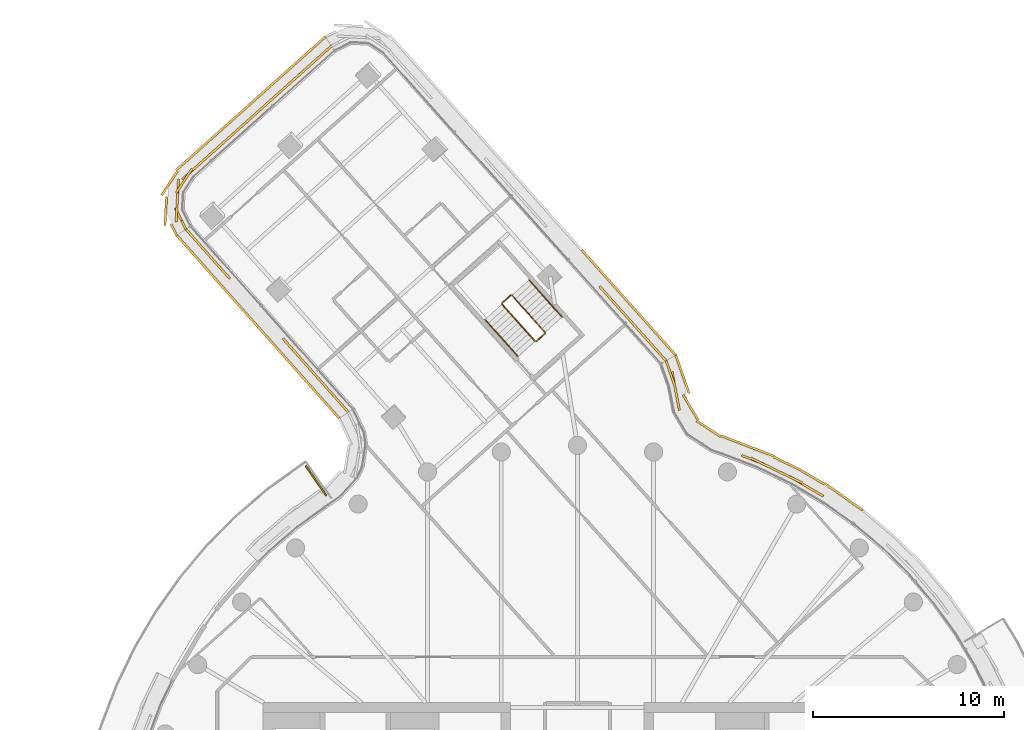
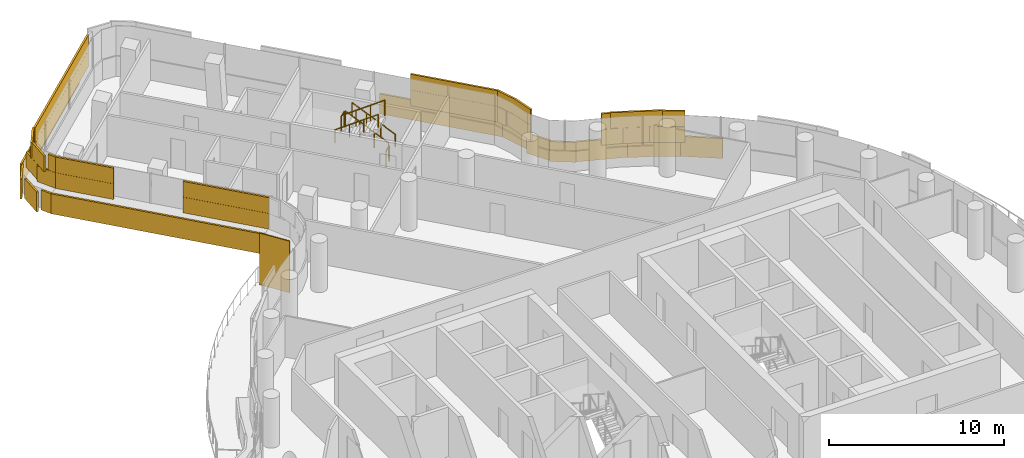
# One storey, part 31 of 33: 6 railings, 4 coverings, 1 shading device.
"""IFC4 building model written with IfcOpenShell, lengths in metres."""

from ifc_helpers import new_model, si_unit, direction, frame, origin, origin_2d, place, context, subcontext, project, spatial, rectangle, circle, extrude, material, layer, layer_set, type_object, element, save


model = new_model("IFC4")

# Units and contexts
model_context = context("Model", 3, precision=1e-05, world=origin(), true_north=direction((0.0, 1.0)))
body_context = subcontext(model_context, "Body", "Model", "MODEL_VIEW")
ifc_project = project(units=[si_unit("LENGTHUNIT", "METRE"), si_unit("AREAUNIT", "SQUARE_METRE"), si_unit("VOLUMEUNIT", "CUBIC_METRE"), si_unit("PLANEANGLEUNIT", "RADIAN"), si_unit("MASSUNIT", "GRAM", prefix="KILO")], contexts=[model_context])

# Site, building, storey
site_placement = place(None, origin())
site = spatial("IfcSite", under=ifc_project, at=site_placement, CompositionType="ELEMENT")
building_placement = place(site_placement, origin())
building = spatial("IfcBuilding", under=site, at=building_placement, Name="Tamarind Cross Interchange Tower", CompositionType="ELEMENT")
storey_placement = place(building_placement, frame((0.0, 0.0, 186.10009765625)))
storey = spatial("IfcBuildingStorey", under=building, at=storey_placement, Name="L46", CompositionType="ELEMENT", Elevation=186.10009765625)

# Shading device
ifc_material_1 = material(Name="Bronze-finish aluminium louvre", Category="aluminium")
ifc_layer_1 = layer(ifc_material_1, 0.080078125)
ifc_layer_set_1 = layer_set([ifc_layer_1], Name="Bronze-finish aluminium louvre")
shading_device_type = type_object("IfcShadingDeviceType", Name="Operable louvre bay", PredefinedType="JALOUSIE", material=ifc_layer_set_1)
shading_device_placement = place(storey_placement, origin())
element("IfcShadingDevice", 1, at=shading_device_placement, inside=storey, type_object=shading_device_type, Name="LVR-L46-BAL10", PredefinedType="JALOUSIE", context=body_context, shape_type="SweptSolid", body=[
    extrude(rectangle(XDim=1.89990234375, YDim=0.080078125, at=origin_2d()), frame((-13.712646484375, 21.144287109375, -0.000244140625), z_axis=(0.0, 0.0, 1.0), x_axis=(-0.56999632408, 0.821647242152, 0.0)), (0.0, 0.0, 1.0), 3.60009765625),
])

# Railings
ifc_material_2 = material(Name="Stair guard")
railing_type_1 = type_object("IfcRailingType", Name="Stair guard", PredefinedType="GUARDRAIL", material=ifc_material_2)
railing_1_placement = place(storey_placement, frame((-1.700927734375, 28.9296875, 0.16357421875)))
element("IfcRailing", 2, at=railing_1_placement, inside=storey, type_object=railing_type_1, Name="L46 ST4 stair guard 1", PredefinedType="GUARDRAIL", context=body_context, shape_type="SweptSolid", body=[
    extrude(circle(Radius=0.02392578125, at=origin_2d()), frame((0.0, 0.0, 1.076171875), z_axis=(-0.564022200762, 0.63101821531, 0.532630236651), x_axis=(-0.745577674844, -0.666418735311, 0.0)), (0.0, 0.0, 1.0), 3.072021484375),
    extrude(circle(Radius=0.02099609375, at=origin_2d()), origin(), (0.0, 0.0, 1.0), 1.052001953125),
    extrude(circle(Radius=0.02099609375, at=origin_2d()), frame((-0.57763671875, 0.646240234375, 0.54541015625)), (0.0, 0.0, 1.0), 1.052001953125),
    extrude(circle(Radius=0.02099609375, at=origin_2d()), frame((-1.155029296875, 1.292236328125, 1.0908203125)), (0.0, 0.0, 1.0), 1.052001953125),
    extrude(circle(Radius=0.02099609375, at=origin_2d()), frame((-1.732666015625, 1.9384765625, 1.63623046875)), (0.0, 0.0, 1.0), 1.052001953125),
])
railing_2_placement = place(storey_placement, frame((-3.504150390625, 30.8720703125, 1.7998046875)))
element("IfcRailing", 3, at=railing_2_placement, inside=storey, type_object=railing_type_1, Name="L46 ST4 stair guard 2", PredefinedType="GUARDRAIL", context=body_context, shape_type="SweptSolid", body=[
    extrude(circle(Radius=0.02392578125, at=origin_2d()), frame((0.0, 0.0, 1.076171875), z_axis=(-0.74547540245, -0.666533138217, 0.0), x_axis=(0.666533138217, -0.74547540245, 0.0)), (0.0, 0.0, 1.0), 0.599853515625),
    extrude(circle(Radius=0.02099609375, at=origin_2d()), origin(), (0.0, 0.0, 1.0), 1.052001953125),
    extrude(circle(Radius=0.02099609375, at=origin_2d()), frame((-0.447265625, -0.39990234375, 0.0)), (0.0, 0.0, 1.0), 1.052001953125),
])
railing_3_placement = place(storey_placement, frame((-3.95556640625, 30.401611328125, 1.963623046875)))
element("IfcRailing", 4, at=railing_3_placement, inside=storey, type_object=railing_type_1, Name="L46 ST4 stair guard 3", PredefinedType="GUARDRAIL", context=body_context, shape_type="SweptSolid", body=[
    extrude(circle(Radius=0.02392578125, at=origin_2d()), frame((0.0, 0.0, 1.076171875), z_axis=(0.564076388308, -0.630989930004, 0.532606361572), x_axis=(0.745531019402, 0.666470928931, 0.0)), (0.0, 0.0, 1.0), 3.072021484375),
    extrude(circle(Radius=0.02099609375, at=origin_2d()), origin(), (0.0, 0.0, 1.0), 1.052001953125),
    extrude(circle(Radius=0.02099609375, at=origin_2d()), frame((0.57763671875, -0.646240234375, 0.54541015625)), (0.0, 0.0, 1.0), 1.052001953125),
    extrude(circle(Radius=0.02099609375, at=origin_2d()), frame((1.1552734375, -1.292236328125, 1.0908203125)), (0.0, 0.0, 1.0), 1.052001953125),
    extrude(circle(Radius=0.02099609375, at=origin_2d()), frame((1.73291015625, -1.9384765625, 1.63623046875)), (0.0, 0.0, 1.0), 1.052001953125),
])
railing_4_placement = place(storey_placement, frame((-1.704833984375, 28.859130859375, 0.0)))
element("IfcRailing", 5, at=railing_4_placement, inside=storey, type_object=railing_type_1, Name="L46 ST4 stair guard 4", PredefinedType="GUARDRAIL", context=body_context, shape_type="SweptSolid", body=[
    extrude(circle(Radius=0.02392578125, at=origin_2d()), frame((0.0, 0.0, 1.076171875), z_axis=(-0.74547540245, -0.666533138217, 0.0), x_axis=(0.666533138217, -0.74547540245, 0.0)), (0.0, 0.0, 1.0), 0.599853515625),
    extrude(circle(Radius=0.02099609375, at=origin_2d()), origin(), (0.0, 0.0, 1.0), 1.052001953125),
    extrude(circle(Radius=0.02099609375, at=origin_2d()), frame((-0.447265625, -0.39990234375, 0.0)), (0.0, 0.0, 1.0), 1.052001953125),
])
ifc_material_3 = material(Name="Stair handrail")
railing_type_2 = type_object("IfcRailingType", Name="Stair handrail", PredefinedType="HANDRAIL", material=ifc_material_3)
railing_5_placement = place(storey_placement, frame((-0.80615234375, 29.729248046875, 0.16357421875)))
element("IfcRailing", 6, at=railing_5_placement, inside=storey, type_object=railing_type_2, Name="L46 ST4 stair handrail 1", PredefinedType="HANDRAIL", context=body_context, shape_type="SweptSolid", body=[
    extrude(circle(Radius=0.02392578125, at=origin_2d()), frame((0.0, 0.0, 0.8759765625), z_axis=(-0.564022200762, 0.63101821531, 0.532630236651), x_axis=(-0.745577674844, -0.666418735311, 0.0)), (0.0, 0.0, 1.0), 3.072021484375),
    extrude(circle(Radius=0.02099609375, at=origin_2d()), origin(), (0.0, 0.0, 1.0), 0.851806640625),
    extrude(circle(Radius=0.02099609375, at=origin_2d()), frame((-0.57763671875, 0.646240234375, 0.54541015625)), (0.0, 0.0, 1.0), 0.851806640625),
    extrude(circle(Radius=0.02099609375, at=origin_2d()), frame((-1.155029296875, 1.292236328125, 1.0908203125)), (0.0, 0.0, 1.0), 0.851806640625),
    extrude(circle(Radius=0.02099609375, at=origin_2d()), frame((-1.732666015625, 1.9384765625, 1.63623046875)), (0.0, 0.0, 1.0), 0.851806640625),
])
railing_6_placement = place(storey_placement, frame((-4.85009765625, 29.601806640625, 1.963623046875)))
element("IfcRailing", 7, at=railing_6_placement, inside=storey, type_object=railing_type_2, Name="L46 ST4 stair handrail 2", PredefinedType="HANDRAIL", context=body_context, shape_type="SweptSolid", body=[
    extrude(circle(Radius=0.02392578125, at=origin_2d()), frame((0.0, 0.0, 0.8759765625), z_axis=(0.564022200762, -0.63101821531, 0.532630236651), x_axis=(0.745577674844, 0.666418735311, 0.0)), (0.0, 0.0, 1.0), 3.072021484375),
    extrude(circle(Radius=0.02099609375, at=origin_2d()), origin(), (0.0, 0.0, 1.0), 0.851806640625),
    extrude(circle(Radius=0.02099609375, at=origin_2d()), frame((0.57763671875, -0.646240234375, 0.54541015625)), (0.0, 0.0, 1.0), 0.851806640625),
    extrude(circle(Radius=0.02099609375, at=origin_2d()), frame((1.155029296875, -1.292236328125, 1.0908203125)), (0.0, 0.0, 1.0), 0.851806640625),
    extrude(circle(Radius=0.02099609375, at=origin_2d()), frame((1.732666015625, -1.9384765625, 1.63623046875)), (0.0, 0.0, 1.0), 0.851806640625),
])

# Coverings
ifc_material_4 = material(Name="Terracotta", Category="masonry")
ifc_layer_2 = layer(ifc_material_4, 0.1201171875)
ifc_layer_set_2 = layer_set([ifc_layer_2], Name="Terracotta")
covering_type = type_object("IfcCoveringType", Name="Terracotta baguette screen unit", PredefinedType="MOLDING", material=ifc_layer_set_2)
covering_1_placement = place(storey_placement, origin())
element("IfcCovering", 8, at=covering_1_placement, inside=storey, type_object=covering_type, Name="SCR-L46-06-05", PredefinedType="MOLDING", context=body_context, shape_type="SweptSolid", body=[
    extrude(rectangle(XDim=0.54150390625, YDim=0.1201171875, at=origin_2d()), frame((12.6640625, 20.469970703125, 1.40380859375), z_axis=(0.0, 0.0, 1.0), x_axis=(-0.861248933065, 0.508183308752, 0.0)), (0.0, 0.0, 1.0), 1.092041015625),
    extrude(rectangle(XDim=1.52001953125, YDim=0.1201171875, at=origin_2d()), frame((11.7890625, 20.986328125, 1.40380859375), z_axis=(0.0, 0.0, 1.0), x_axis=(-0.861248933065, 0.508183308752, 0.0)), (0.0, 0.0, 1.0), 1.092041015625),
    extrude(rectangle(XDim=1.52001953125, YDim=0.1201171875, at=origin_2d()), frame((10.45751953125, 21.674560546875, 1.40380859375), z_axis=(0.0, 0.0, 1.0), x_axis=(-0.900272776334, 0.435326231914, 0.0)), (0.0, 0.0, 1.0), 1.092041015625),
    extrude(rectangle(XDim=1.267578125, YDim=0.1201171875, at=origin_2d()), frame((9.203125, 22.244140625, 1.40380859375), z_axis=(0.0, 0.0, 1.0), x_axis=(-0.933146843667, 0.359495435512, 0.0)), (0.0, 0.0, 1.0), 1.092041015625),
    extrude(rectangle(XDim=0.552490234375, YDim=0.1201171875, at=origin_2d()), frame((5.295654296875, 25.111572265625, 1.40380859375), z_axis=(0.0, 0.0, 1.0), x_axis=(-0.186148411563, 0.982521637865, 0.0)), (0.0, 0.0, 1.0), 1.092041015625),
    extrude(rectangle(XDim=1.52001953125, YDim=0.1201171875, at=origin_2d()), frame((5.10546875, 26.114990234375, 1.40380859375), z_axis=(0.0, 0.0, 1.0), x_axis=(-0.186148411563, 0.982521637865, 0.0)), (0.0, 0.0, 1.0), 1.092041015625),
    extrude(rectangle(XDim=0.658935546875, YDim=0.1201171875, at=origin_2d()), frame((4.7568359375, 27.130859375, 1.40380859375), z_axis=(0.0, 0.0, 1.0), x_axis=(-0.330382610019, 0.943847090898, 0.0)), (0.0, 0.0, 1.0), 1.092041015625),
    extrude(rectangle(XDim=1.29150390625, YDim=0.1201171875, at=origin_2d()), frame((12.341064453125, 20.66064453125, 2.50390625), z_axis=(0.0, 0.0, 1.0), x_axis=(-0.861248933065, 0.508183308752, 0.0)), (0.0, 0.0, 1.0), 1.092041015625),
    extrude(rectangle(XDim=1.52001953125, YDim=0.1201171875, at=origin_2d()), frame((11.1328125, 21.347900390625, 2.50390625), z_axis=(0.0, 0.0, 1.0), x_axis=(-0.900272776334, 0.435326231914, 0.0)), (0.0, 0.0, 1.0), 1.092041015625),
    extrude(rectangle(XDim=1.52001953125, YDim=0.1201171875, at=origin_2d()), frame((9.782470703125, 22.0009765625, 2.50390625), z_axis=(0.0, 0.0, 1.0), x_axis=(-0.900272776334, 0.435326231914, 0.0)), (0.0, 0.0, 1.0), 1.092041015625),
    extrude(rectangle(XDim=0.517578125, YDim=0.1201171875, at=origin_2d()), frame((8.85302734375, 22.37890625, 2.50390625), z_axis=(0.0, 0.0, 1.0), x_axis=(-0.933146843667, 0.359495435512, 0.0)), (0.0, 0.0, 1.0), 1.092041015625),
    extrude(rectangle(XDim=1.302490234375, YDim=0.1201171875, at=origin_2d()), frame((5.225830078125, 25.47998046875, 2.50390625), z_axis=(0.0, 0.0, 1.0), x_axis=(-0.186148411563, 0.982521637865, 0.0)), (0.0, 0.0, 1.0), 1.092041015625),
    extrude(rectangle(XDim=1.408935546875, YDim=0.1201171875, at=origin_2d()), frame((4.880615234375, 26.77685546875, 2.50390625), z_axis=(0.0, 0.0, 1.0), x_axis=(-0.330382610019, 0.943847090898, 0.0)), (0.0, 0.0, 1.0), 1.092041015625),
    extrude(rectangle(XDim=0.953125, YDim=0.1201171875, at=origin_2d()), frame((14.576904296875, 19.869384765625, 0.00390625), z_axis=(0.0, 0.0, 1.0), x_axis=(-0.816341886298, 0.577568978284, 0.0)), (0.0, 0.0, 1.0), 1.39208984375),
    extrude(rectangle(XDim=1.52001953125, YDim=0.1201171875, at=origin_2d()), frame((13.583740234375, 20.572021484375, 0.00390625), z_axis=(0.0, 0.0, 1.0), x_axis=(-0.816341886298, 0.577568978284, 0.0)), (0.0, 0.0, 1.0), 1.39208984375),
    extrude(rectangle(XDim=1.52001953125, YDim=0.1201171875, at=origin_2d()), frame((12.302001953125, 21.35009765625, 0.00390625), z_axis=(0.0, 0.0, 1.0), x_axis=(-0.861248933065, 0.508183308752, 0.0)), (0.0, 0.0, 1.0), 1.39208984375),
    extrude(rectangle(XDim=1.52001953125, YDim=0.1201171875, at=origin_2d()), frame((10.9814453125, 22.058837890625, 0.00390625), z_axis=(0.0, 0.0, 1.0), x_axis=(-0.900272776334, 0.435326231914, 0.0)), (0.0, 0.0, 1.0), 1.39208984375),
    extrude(rectangle(XDim=1.52001953125, YDim=0.1201171875, at=origin_2d()), frame((9.62451171875, 22.69677734375, 0.00390625), z_axis=(0.0, 0.0, 1.0), x_axis=(-0.933146843667, 0.359495435512, 0.0)), (0.0, 0.0, 1.0), 1.39208984375),
    extrude(rectangle(XDim=1.52001953125, YDim=0.1201171875, at=origin_2d()), frame((8.224853515625, 23.236083984375, 0.00390625), z_axis=(0.0, 0.0, 1.0), x_axis=(-0.933146843667, 0.359495435512, 0.0)), (0.0, 0.0, 1.0), 1.39208984375),
    extrude(rectangle(XDim=1.52001953125, YDim=0.1201171875, at=origin_2d()), frame((6.879638671875, 23.8759765625, 0.00390625), z_axis=(0.0, 0.0, 1.0), x_axis=(-0.83630937517, 0.548257812532, 0.0)), (0.0, 0.0, 1.0), 1.39208984375),
    extrude(rectangle(XDim=1.52001953125, YDim=0.1201171875, at=origin_2d()), frame((5.9326171875, 24.9931640625, 0.00390625), z_axis=(0.0, 0.0, 1.0), x_axis=(-0.513169746334, 0.858287138112, 0.0)), (0.0, 0.0, 1.0), 1.39208984375),
    extrude(rectangle(XDim=1.52001953125, YDim=0.1201171875, at=origin_2d()), frame((5.60302734375, 26.450439453125, 0.00390625), z_axis=(0.0, 0.0, 1.0), x_axis=(-0.330382610019, 0.943847090898, 0.0)), (0.0, 0.0, 1.0), 1.39208984375),
    extrude(rectangle(XDim=0.62060546875, YDim=0.1201171875, at=origin_2d()), frame((5.256103515625, 27.441650390625, 0.00390625), z_axis=(0.0, 0.0, 1.0), x_axis=(-0.330382610019, 0.943847090898, 0.0)), (0.0, 0.0, 1.0), 1.39208984375),
])
covering_2_placement = place(storey_placement, origin())
element("IfcCovering", 9, at=covering_2_placement, inside=storey, type_object=covering_type, Name="SCR-L46-07-00", PredefinedType="MOLDING", context=body_context, shape_type="SweptSolid", body=[
    extrude(rectangle(XDim=1.510009765625, YDim=0.1201171875, at=origin_2d()), frame((4.149658203125, 27.996337890625, 1.40380859375), z_axis=(0.0, 0.0, 1.0), x_axis=(-0.666428375667, 0.745569057905, 0.0)), (0.0, 0.0, 1.0), 1.092041015625),
    extrude(rectangle(XDim=1.52001953125, YDim=0.1201171875, at=origin_2d()), frame((3.150146484375, 29.114501953125, 1.40380859375), z_axis=(0.0, 0.0, 1.0), x_axis=(-0.666428375667, 0.745569057905, 0.0)), (0.0, 0.0, 1.0), 1.092041015625),
    extrude(rectangle(XDim=1.52001953125, YDim=0.1201171875, at=origin_2d()), frame((2.150390625, 30.23291015625, 1.40380859375), z_axis=(0.0, 0.0, 1.0), x_axis=(-0.666428375667, 0.745569057905, 0.0)), (0.0, 0.0, 1.0), 1.092041015625),
    extrude(rectangle(XDim=0.7470703125, YDim=0.1201171875, at=origin_2d()), frame((1.405029296875, 31.06689453125, 1.40380859375), z_axis=(0.0, 0.0, 1.0), x_axis=(-0.666428375667, 0.745569057905, 0.0)), (0.0, 0.0, 1.0), 1.092041015625),
    extrude(rectangle(XDim=0.760009765625, YDim=0.1201171875, at=origin_2d()), frame((4.399658203125, 27.716552734375, 2.50390625), z_axis=(0.0, 0.0, 1.0), x_axis=(-0.666428375667, 0.745569057905, 0.0)), (0.0, 0.0, 1.0), 1.092041015625),
    extrude(rectangle(XDim=1.52001953125, YDim=0.1201171875, at=origin_2d()), frame((3.64990234375, 28.555419921875, 2.50390625), z_axis=(0.0, 0.0, 1.0), x_axis=(-0.666428375667, 0.745569057905, 0.0)), (0.0, 0.0, 1.0), 1.092041015625),
    extrude(rectangle(XDim=1.52001953125, YDim=0.1201171875, at=origin_2d()), frame((2.650390625, 29.673828125, 2.50390625), z_axis=(0.0, 0.0, 1.0), x_axis=(-0.666428375667, 0.745569057905, 0.0)), (0.0, 0.0, 1.0), 1.092041015625),
    extrude(rectangle(XDim=1.4970703125, YDim=0.1201171875, at=origin_2d()), frame((1.655029296875, 30.787353515625, 2.50390625), z_axis=(0.0, 0.0, 1.0), x_axis=(-0.666428375667, 0.745569057905, 0.0)), (0.0, 0.0, 1.0), 1.092041015625),
    extrude(rectangle(XDim=1.510009765625, YDim=0.1201171875, at=origin_2d()), frame((4.650390625, 28.29736328125, 0.00390625), z_axis=(0.0, 0.0, 1.0), x_axis=(-0.666428375667, 0.745569057905, 0.0)), (0.0, 0.0, 1.0), 1.39208984375),
    extrude(rectangle(XDim=1.52001953125, YDim=0.1201171875, at=origin_2d()), frame((3.654052734375, 29.412109375, 0.00390625), z_axis=(0.0, 0.0, 1.0), x_axis=(-0.666428375667, 0.745569057905, 0.0)), (0.0, 0.0, 1.0), 1.39208984375),
    extrude(rectangle(XDim=1.52001953125, YDim=0.1201171875, at=origin_2d()), frame((2.654541015625, 30.5302734375, 0.00390625), z_axis=(0.0, 0.0, 1.0), x_axis=(-0.666428375667, 0.745569057905, 0.0)), (0.0, 0.0, 1.0), 1.39208984375),
    extrude(rectangle(XDim=1.52001953125, YDim=0.1201171875, at=origin_2d()), frame((1.65478515625, 31.648681640625, 0.00390625), z_axis=(0.0, 0.0, 1.0), x_axis=(-0.666428375667, 0.745569057905, 0.0)), (0.0, 0.0, 1.0), 1.39208984375),
    extrude(rectangle(XDim=1.410400390625, YDim=0.1201171875, at=origin_2d()), frame((0.691650390625, 32.726318359375, 0.00390625), z_axis=(0.0, 0.0, 1.0), x_axis=(-0.666428375667, 0.745569057905, 0.0)), (0.0, 0.0, 1.0), 1.39208984375),
])
covering_3_placement = place(storey_placement, origin())
element("IfcCovering", 10, at=covering_3_placement, inside=storey, type_object=covering_type, Name="SCR-L46-08-00", PredefinedType="MOLDING", context=body_context, shape_type="SweptSolid", body=[
    extrude(rectangle(XDim=1.510009765625, YDim=0.1201171875, at=origin_2d()), frame((-13.45849609375, 43.45166015625, 1.40380859375), z_axis=(0.0, 0.0, 1.0), x_axis=(-0.745569057905, -0.666428375667, 0.0)), (0.0, 0.0, 1.0), 1.092041015625),
    extrude(rectangle(XDim=1.52001953125, YDim=0.1201171875, at=origin_2d()), frame((-14.576904296875, 42.4521484375, 1.40380859375), z_axis=(0.0, 0.0, 1.0), x_axis=(-0.745569057905, -0.666428375667, 0.0)), (0.0, 0.0, 1.0), 1.092041015625),
    extrude(rectangle(XDim=1.52001953125, YDim=0.1201171875, at=origin_2d()), frame((-15.695068359375, 41.452392578125, 1.40380859375), z_axis=(0.0, 0.0, 1.0), x_axis=(-0.745569057905, -0.666428375667, 0.0)), (0.0, 0.0, 1.0), 1.092041015625),
    extrude(rectangle(XDim=1.52001953125, YDim=0.1201171875, at=origin_2d()), frame((-16.8134765625, 40.452880859375, 1.40380859375), z_axis=(0.0, 0.0, 1.0), x_axis=(-0.745569057905, -0.666428375667, 0.0)), (0.0, 0.0, 1.0), 1.092041015625),
    extrude(rectangle(XDim=1.52001953125, YDim=0.1201171875, at=origin_2d()), frame((-17.931884765625, 39.453125, 1.40380859375), z_axis=(0.0, 0.0, 1.0), x_axis=(-0.745569057905, -0.666428375667, 0.0)), (0.0, 0.0, 1.0), 1.092041015625),
    extrude(rectangle(XDim=1.52001953125, YDim=0.1201171875, at=origin_2d()), frame((-19.05029296875, 38.45361328125, 1.40380859375), z_axis=(0.0, 0.0, 1.0), x_axis=(-0.745569057905, -0.666428375667, 0.0)), (0.0, 0.0, 1.0), 1.092041015625),
    extrude(rectangle(XDim=1.52001953125, YDim=0.1201171875, at=origin_2d()), frame((-20.168701171875, 37.453857421875, 1.40380859375), z_axis=(0.0, 0.0, 1.0), x_axis=(-0.745569057905, -0.666428375667, 0.0)), (0.0, 0.0, 1.0), 1.092041015625),
    extrude(rectangle(XDim=1.52001953125, YDim=0.1201171875, at=origin_2d()), frame((-20.968017578125, 36.220458984375, 1.40380859375), z_axis=(0.0, 0.0, 1.0), x_axis=(-0.055960913078, -0.998432960297, 0.0)), (0.0, 0.0, 1.0), 1.092041015625),
    extrude(rectangle(XDim=1.259521484375, YDim=0.1201171875, at=origin_2d()), frame((-20.81884765625, 34.89501953125, 1.40380859375), z_axis=(0.0, 0.0, 1.0), x_axis=(0.450752907804, -0.892648764132, 0.0)), (0.0, 0.0, 1.0), 1.092041015625),
    extrude(rectangle(XDim=0.760009765625, YDim=0.1201171875, at=origin_2d()), frame((-13.178955078125, 43.70166015625, 2.50390625), z_axis=(0.0, 0.0, 1.0), x_axis=(-0.745569057905, -0.666428375667, 0.0)), (0.0, 0.0, 1.0), 1.092041015625),
    extrude(rectangle(XDim=1.52001953125, YDim=0.1201171875, at=origin_2d()), frame((-14.017578125, 42.951904296875, 2.50390625), z_axis=(0.0, 0.0, 1.0), x_axis=(-0.745569057905, -0.666428375667, 0.0)), (0.0, 0.0, 1.0), 1.092041015625),
    extrude(rectangle(XDim=1.52001953125, YDim=0.1201171875, at=origin_2d()), frame((-15.135986328125, 41.952392578125, 2.50390625), z_axis=(0.0, 0.0, 1.0), x_axis=(-0.745569057905, -0.666428375667, 0.0)), (0.0, 0.0, 1.0), 1.092041015625),
    extrude(rectangle(XDim=1.52001953125, YDim=0.1201171875, at=origin_2d()), frame((-16.25439453125, 40.95263671875, 2.50390625), z_axis=(0.0, 0.0, 1.0), x_axis=(-0.745569057905, -0.666428375667, 0.0)), (0.0, 0.0, 1.0), 1.092041015625),
    extrude(rectangle(XDim=1.52001953125, YDim=0.1201171875, at=origin_2d()), frame((-17.372802734375, 39.953125, 2.50390625), z_axis=(0.0, 0.0, 1.0), x_axis=(-0.745569057905, -0.666428375667, 0.0)), (0.0, 0.0, 1.0), 1.092041015625),
    extrude(rectangle(XDim=1.52001953125, YDim=0.1201171875, at=origin_2d()), frame((-18.490966796875, 38.953369140625, 2.50390625), z_axis=(0.0, 0.0, 1.0), x_axis=(-0.745569057905, -0.666428375667, 0.0)), (0.0, 0.0, 1.0), 1.092041015625),
    extrude(rectangle(XDim=1.52001953125, YDim=0.1201171875, at=origin_2d()), frame((-19.609375, 37.95361328125, 2.50390625), z_axis=(0.0, 0.0, 1.0), x_axis=(-0.745569057905, -0.666428375667, 0.0)), (0.0, 0.0, 1.0), 1.092041015625),
    extrude(rectangle(XDim=1.52001953125, YDim=0.1201171875, at=origin_2d()), frame((-20.633544921875, 36.873046875, 2.50390625), z_axis=(0.0, 0.0, 1.0), x_axis=(-0.547680052493, -0.836687851054, 0.0)), (0.0, 0.0, 1.0), 1.092041015625),
    extrude(rectangle(XDim=1.52001953125, YDim=0.1201171875, at=origin_2d()), frame((-21.010009765625, 35.4716796875, 2.50390625), z_axis=(0.0, 0.0, 1.0), x_axis=(-0.055960913078, -0.998432960297, 0.0)), (0.0, 0.0, 1.0), 1.092041015625),
    extrude(rectangle(XDim=0.509521484375, YDim=0.1201171875, at=origin_2d()), frame((-20.649658203125, 34.560302734375, 2.50390625), z_axis=(0.0, 0.0, 1.0), x_axis=(0.450752907804, -0.892648764132, 0.0)), (0.0, 0.0, 1.0), 1.092041015625),
    extrude(rectangle(XDim=1.510009765625, YDim=0.1201171875, at=origin_2d()), frame((-13.788330078125, 43.9267578125, 0.00390625), z_axis=(0.0, 0.0, 1.0), x_axis=(-0.745569057905, -0.666428375667, 0.0)), (0.0, 0.0, 1.0), 1.39208984375),
    extrude(rectangle(XDim=1.52001953125, YDim=0.1201171875, at=origin_2d()), frame((-14.903076171875, 42.930419921875, 0.00390625), z_axis=(0.0, 0.0, 1.0), x_axis=(-0.745569057905, -0.666428375667, 0.0)), (0.0, 0.0, 1.0), 1.39208984375),
    extrude(rectangle(XDim=1.52001953125, YDim=0.1201171875, at=origin_2d()), frame((-16.021484375, 41.930908203125, 0.00390625), z_axis=(0.0, 0.0, 1.0), x_axis=(-0.745569057905, -0.666428375667, 0.0)), (0.0, 0.0, 1.0), 1.39208984375),
    extrude(rectangle(XDim=1.52001953125, YDim=0.1201171875, at=origin_2d()), frame((-17.1396484375, 40.93115234375, 0.00390625), z_axis=(0.0, 0.0, 1.0), x_axis=(-0.745569057905, -0.666428375667, 0.0)), (0.0, 0.0, 1.0), 1.39208984375),
    extrude(rectangle(XDim=1.52001953125, YDim=0.1201171875, at=origin_2d()), frame((-18.258056640625, 39.931396484375, 0.00390625), z_axis=(0.0, 0.0, 1.0), x_axis=(-0.745569057905, -0.666428375667, 0.0)), (0.0, 0.0, 1.0), 1.39208984375),
    extrude(rectangle(XDim=1.52001953125, YDim=0.1201171875, at=origin_2d()), frame((-19.37646484375, 38.931884765625, 0.00390625), z_axis=(0.0, 0.0, 1.0), x_axis=(-0.745569057905, -0.666428375667, 0.0)), (0.0, 0.0, 1.0), 1.39208984375),
    extrude(rectangle(XDim=1.52001953125, YDim=0.1201171875, at=origin_2d()), frame((-20.494873046875, 37.93212890625, 0.00390625), z_axis=(0.0, 0.0, 1.0), x_axis=(-0.745569057905, -0.666428375667, 0.0)), (0.0, 0.0, 1.0), 1.39208984375),
    extrude(rectangle(XDim=1.52001953125, YDim=0.1201171875, at=origin_2d()), frame((-21.400390625, 36.74951171875, 0.00390625), z_axis=(0.0, 0.0, 1.0), x_axis=(-0.547680052493, -0.836687851054, 0.0)), (0.0, 0.0, 1.0), 1.39208984375),
    extrude(rectangle(XDim=1.52001953125, YDim=0.1201171875, at=origin_2d()), frame((-21.59521484375, 35.288330078125, 0.00390625), z_axis=(0.0, 0.0, 1.0), x_axis=(-0.055960913078, -0.998432960297, 0.0)), (0.0, 0.0, 1.0), 1.39208984375),
    extrude(rectangle(XDim=0.676025390625, YDim=0.1201171875, at=origin_2d()), frame((-21.168212890625, 34.313720703125, 0.00390625), z_axis=(0.0, 0.0, 1.0), x_axis=(0.450752907804, -0.892648764132, 0.0)), (0.0, 0.0, 1.0), 1.39208984375),
])
covering_4_placement = place(storey_placement, origin())
element("IfcCovering", 11, at=covering_4_placement, inside=storey, type_object=covering_type, Name="SCR-L46-09-00", PredefinedType="MOLDING", context=body_context, shape_type="SweptSolid", body=[
    extrude(rectangle(XDim=1.510009765625, YDim=0.1201171875, at=origin_2d()), frame((-20.039306640625, 33.7763671875, 1.40380859375), z_axis=(0.0, 0.0, 1.0), x_axis=(0.663949588874, -0.747777335464, 0.0)), (0.0, 0.0, 1.0), 1.092041015625),
    extrude(rectangle(XDim=1.52001953125, YDim=0.1201171875, at=origin_2d()), frame((-19.043212890625, 32.65478515625, 1.40380859375), z_axis=(0.0, 0.0, 1.0), x_axis=(0.663949588874, -0.747777335464, 0.0)), (0.0, 0.0, 1.0), 1.092041015625),
    extrude(rectangle(XDim=0.482177734375, YDim=0.1201171875, at=origin_2d()), frame((-18.388671875, 31.91748046875, 1.40380859375), z_axis=(0.0, 0.0, 1.0), x_axis=(0.663949588874, -0.747777335464, 0.0)), (0.0, 0.0, 1.0), 1.092041015625),
    extrude(rectangle(XDim=1.337646484375, YDim=0.1201171875, at=origin_2d()), frame((-15.00244140625, 28.103759765625, 1.40380859375), z_axis=(0.0, 0.0, 1.0), x_axis=(0.663949588874, -0.747777335464, 0.0)), (0.0, 0.0, 1.0), 1.092041015625),
    extrude(rectangle(XDim=1.52001953125, YDim=0.1201171875, at=origin_2d()), frame((-14.063720703125, 27.04638671875, 1.40380859375), z_axis=(0.0, 0.0, 1.0), x_axis=(0.663949588874, -0.747777335464, 0.0)), (0.0, 0.0, 1.0), 1.092041015625),
    extrude(rectangle(XDim=1.52001953125, YDim=0.1201171875, at=origin_2d()), frame((-13.06787109375, 25.9248046875, 1.40380859375), z_axis=(0.0, 0.0, 1.0), x_axis=(0.663949588874, -0.747777335464, 0.0)), (0.0, 0.0, 1.0), 1.092041015625),
    extrude(rectangle(XDim=0.846435546875, YDim=0.1201171875, at=origin_2d()), frame((-12.2919921875, 25.05126953125, 1.40380859375), z_axis=(0.0, 0.0, 1.0), x_axis=(0.663949588874, -0.747777335464, 0.0)), (0.0, 0.0, 1.0), 1.092041015625),
    extrude(rectangle(XDim=0.760009765625, YDim=0.1201171875, at=origin_2d()), frame((-20.2880859375, 34.056884765625, 2.50390625), z_axis=(0.0, 0.0, 1.0), x_axis=(0.663949588874, -0.747777335464, 0.0)), (0.0, 0.0, 1.0), 1.092041015625),
    extrude(rectangle(XDim=1.52001953125, YDim=0.1201171875, at=origin_2d()), frame((-19.541259765625, 33.215576171875, 2.50390625), z_axis=(0.0, 0.0, 1.0), x_axis=(0.663949588874, -0.747777335464, 0.0)), (0.0, 0.0, 1.0), 1.092041015625),
    extrude(rectangle(XDim=1.232177734375, YDim=0.1201171875, at=origin_2d()), frame((-18.637451171875, 32.19775390625, 2.50390625), z_axis=(0.0, 0.0, 1.0), x_axis=(0.663949588874, -0.747777335464, 0.0)), (0.0, 0.0, 1.0), 1.092041015625),
    extrude(rectangle(XDim=0.587646484375, YDim=0.1201171875, at=origin_2d()), frame((-15.25146484375, 28.384033203125, 2.50390625), z_axis=(0.0, 0.0, 1.0), x_axis=(0.663949588874, -0.747777335464, 0.0)), (0.0, 0.0, 1.0), 1.092041015625),
    extrude(rectangle(XDim=1.52001953125, YDim=0.1201171875, at=origin_2d()), frame((-14.5615234375, 27.607421875, 2.50390625), z_axis=(0.0, 0.0, 1.0), x_axis=(0.663949588874, -0.747777335464, 0.0)), (0.0, 0.0, 1.0), 1.092041015625),
    extrude(rectangle(XDim=1.52001953125, YDim=0.1201171875, at=origin_2d()), frame((-13.565673828125, 26.485595703125, 2.50390625), z_axis=(0.0, 0.0, 1.0), x_axis=(0.663949588874, -0.747777335464, 0.0)), (0.0, 0.0, 1.0), 1.092041015625),
    extrude(rectangle(XDim=1.52001953125, YDim=0.1201171875, at=origin_2d()), frame((-12.56982421875, 25.364013671875, 2.50390625), z_axis=(0.0, 0.0, 1.0), x_axis=(0.663949588874, -0.747777335464, 0.0)), (0.0, 0.0, 1.0), 1.092041015625),
    extrude(rectangle(XDim=0.096435546875, YDim=0.1201171875, at=origin_2d()), frame((-12.043212890625, 24.770751953125, 2.50390625), z_axis=(0.0, 0.0, 1.0), x_axis=(0.663949588874, -0.747777335464, 0.0)), (0.0, 0.0, 1.0), 1.092041015625),
    extrude(rectangle(XDim=1.510009765625, YDim=0.1201171875, at=origin_2d()), frame((-20.5146484375, 33.447509765625, 0.00390625), z_axis=(0.0, 0.0, 1.0), x_axis=(0.663949588874, -0.747777335464, 0.0)), (0.0, 0.0, 1.0), 1.39208984375),
    extrude(rectangle(XDim=1.52001953125, YDim=0.1201171875, at=origin_2d()), frame((-19.52197265625, 32.32958984375, 0.00390625), z_axis=(0.0, 0.0, 1.0), x_axis=(0.663949588874, -0.747777335464, 0.0)), (0.0, 0.0, 1.0), 1.39208984375),
    extrude(rectangle(XDim=1.52001953125, YDim=0.1201171875, at=origin_2d()), frame((-18.526123046875, 31.207763671875, 0.00390625), z_axis=(0.0, 0.0, 1.0), x_axis=(0.663949588874, -0.747777335464, 0.0)), (0.0, 0.0, 1.0), 1.39208984375),
    extrude(rectangle(XDim=1.52001953125, YDim=0.1201171875, at=origin_2d()), frame((-17.5302734375, 30.086181640625, 0.00390625), z_axis=(0.0, 0.0, 1.0), x_axis=(0.663949588874, -0.747777335464, 0.0)), (0.0, 0.0, 1.0), 1.39208984375),
    extrude(rectangle(XDim=1.52001953125, YDim=0.1201171875, at=origin_2d()), frame((-16.5341796875, 28.964599609375, 0.00390625), z_axis=(0.0, 0.0, 1.0), x_axis=(0.663949588874, -0.747777335464, 0.0)), (0.0, 0.0, 1.0), 1.39208984375),
    extrude(rectangle(XDim=1.52001953125, YDim=0.1201171875, at=origin_2d()), frame((-15.538330078125, 27.8427734375, 0.00390625), z_axis=(0.0, 0.0, 1.0), x_axis=(0.663949588874, -0.747777335464, 0.0)), (0.0, 0.0, 1.0), 1.39208984375),
    extrude(rectangle(XDim=1.52001953125, YDim=0.1201171875, at=origin_2d()), frame((-14.54248046875, 26.72119140625, 0.00390625), z_axis=(0.0, 0.0, 1.0), x_axis=(0.663949588874, -0.747777335464, 0.0)), (0.0, 0.0, 1.0), 1.39208984375),
    extrude(rectangle(XDim=1.52001953125, YDim=0.1201171875, at=origin_2d()), frame((-13.54638671875, 25.599365234375, 0.00390625), z_axis=(0.0, 0.0, 1.0), x_axis=(0.663949588874, -0.747777335464, 0.0)), (0.0, 0.0, 1.0), 1.39208984375),
    extrude(rectangle(XDim=0.837158203125, YDim=0.1201171875, at=origin_2d()), frame((-12.77734375, 24.733154296875, 0.00390625), z_axis=(0.0, 0.0, 1.0), x_axis=(0.663949588874, -0.747777335464, 0.0)), (0.0, 0.0, 1.0), 1.39208984375),
])

save(model, "model.ifc")
